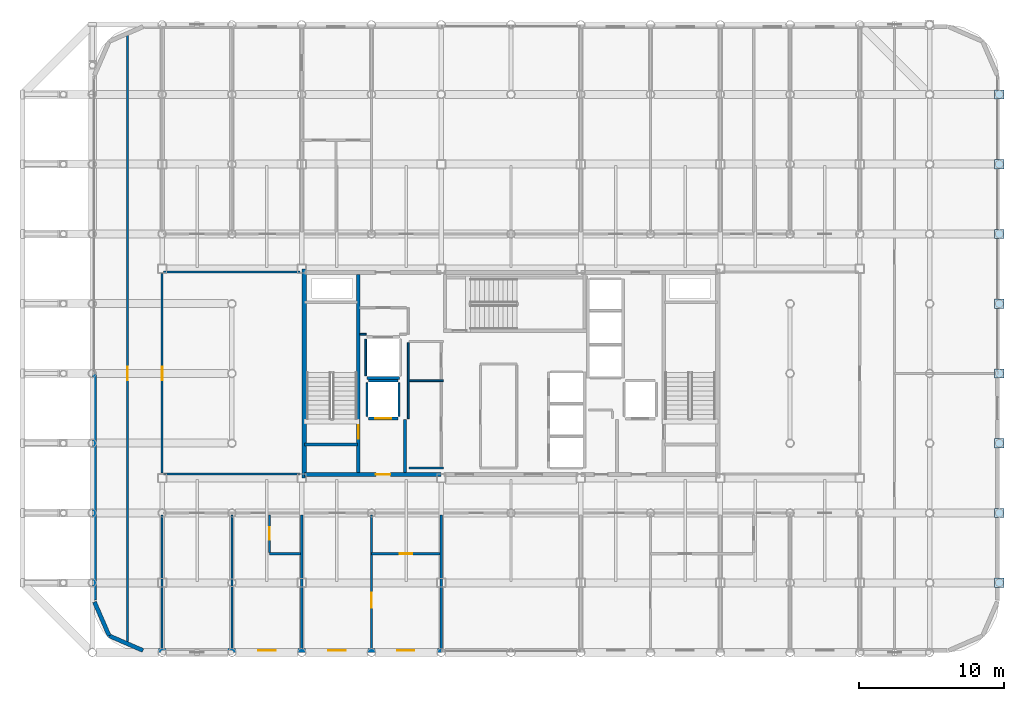
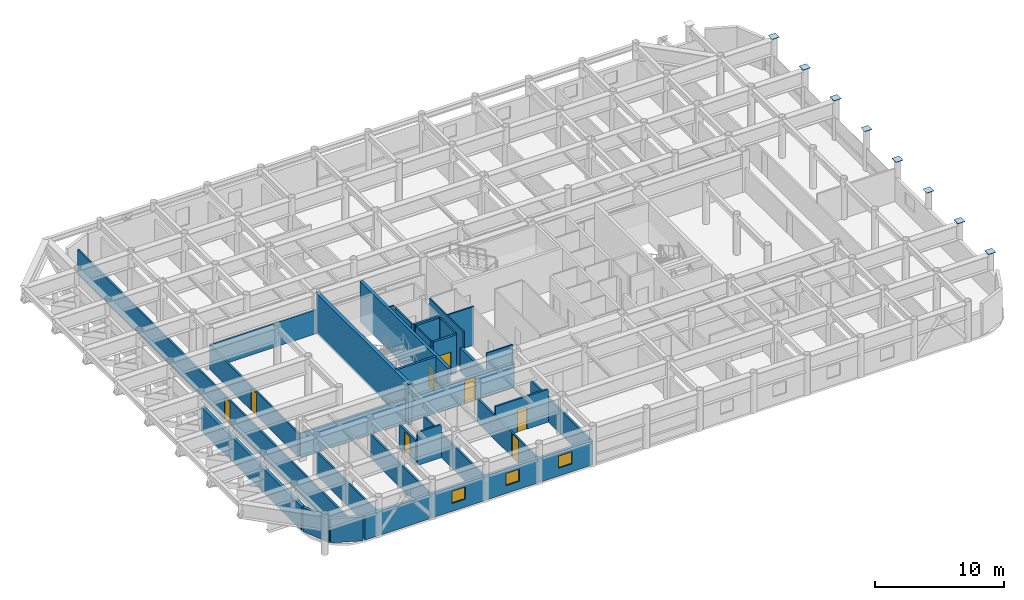
# One storey, part 22 of 27: 31 walls, 8 doors, 8 plates, 3 windows, 11 openings.
"""IFC4 building model written with IfcOpenShell, lengths in metres."""

from ifc_helpers import new_model, si_unit, direction, frame, frame_2d, origin, origin_2d, place, context, subcontext, project, spatial, rectangle, extrude, material, layer, layer_set, type_object, element, fill, save


model = new_model("IFC4")

# Units and contexts
model_context = context("Model", 3, precision=1e-05, world=origin(), true_north=direction((0.0, 1.0)))
body_context = subcontext(model_context, "Body", "Model", "MODEL_VIEW")
ifc_project = project(units=[si_unit("LENGTHUNIT", "METRE"), si_unit("AREAUNIT", "SQUARE_METRE"), si_unit("VOLUMEUNIT", "CUBIC_METRE"), si_unit("PLANEANGLEUNIT", "RADIAN"), si_unit("MASSUNIT", "GRAM", prefix="KILO")], contexts=[model_context])

# Site, building, storey
site_placement = place(None, origin())
site = spatial("IfcSite", under=ifc_project, at=site_placement, CompositionType="ELEMENT")
building_placement = place(site_placement, origin())
building = spatial("IfcBuilding", under=site, at=building_placement, Name="Kallvorn Hotel Tower", CompositionType="ELEMENT")
storey_placement = place(building_placement, frame((0.0, 0.0, 245.39990234375)))
storey = spatial("IfcBuildingStorey", under=building, at=storey_placement, Name="L61", CompositionType="ELEMENT", Elevation=245.39990234375)

# Plates
ifc_material_1 = material(Name="Structural steel S355JR", Category="steel")
ifc_layer_1 = layer(ifc_material_1, 0.030029296875)
ifc_layer_set_1 = layer_set([ifc_layer_1], Name="PLT_CAP_30")
plate_type = type_object("IfcPlateType", Name="PLT_CAP_30", PredefinedType="SHEET", material=ifc_layer_set_1)
for number, where, z_axis, x_axis, name in (
    (1, (33.60009765625, -14.39990234375, 3.85009765625), (0.0, 0.0, 1.0), (1.0, 0.0, 0.0), "L61 Hollow Column Top End Cap Plate 0270"),
    (2, (33.60009765625, -9.60009765625, 3.85009765625), (0.0, 0.0, 1.0), (1.0, 0.0, 0.0), "L61 Hollow Column Top End Cap Plate 0271"),
    (3, (33.60009765625, -4.800048828125, 3.85009765625), (0.0, 0.0, 1.0), (1.0, 0.0, 0.0), "L61 Hollow Column Top End Cap Plate 0272"),
    (4, (33.60009765625, 0.0, 3.85009765625), (0.0, 0.0, 1.0), (1.0, 0.0, 0.0), "L61 Hollow Column Top End Cap Plate 0273"),
    (5, (33.60009765625, 4.800048828125, 3.85009765625), (0.0, 0.0, 1.0), (1.0, 0.0, 0.0), "L61 Hollow Column Top End Cap Plate 0274"),
    (6, (33.60009765625, 9.60009765625, 3.85009765625), (0.0, 0.0, 1.0), (1.0, 0.0, 0.0), "L61 Hollow Column Top End Cap Plate 0275"),
    (7, (33.60009765625, 14.39990234375, 3.85009765625), (0.0, 0.0, 1.0), (1.0, 0.0, 0.0), "L61 Hollow Column Top End Cap Plate 0276"),
    (8, (33.60009765625, 19.199951171875, 3.85009765625), (0.0, 0.0, 1.0), (1.0, 0.0, 0.0), "L61 Hollow Column Top End Cap Plate 0277"),
):
    element("IfcPlate", number, at=place(storey_placement, frame(where, z_axis=z_axis, x_axis=x_axis)), inside=storey, type_object=plate_type, Name=name, PredefinedType="SHEET", context=body_context, shape_type="SweptSolid", body=[
        extrude(rectangle(XDim=0.638916015625, YDim=0.638916015625, at=origin_2d()), origin(), (0.0, 0.0, 1.0), 0.030029296875),
    ])

# Walls
ifc_material_2 = material(Name="Concrete C50/60", Category="concrete")
ifc_layer_2 = layer(ifc_material_2, 0.300048828125)
ifc_layer_set_2 = layer_set([ifc_layer_2], Name="WL_CORE_300")
wall_type_1 = type_object("IfcWallType", Name="WL_CORE_300", PredefinedType="SHEAR", material=ifc_layer_set_2)
wall_1_placement = place(storey_placement, frame((-14.215087890625, -7.199951171875, -0.179931640625), z_axis=(0.0, 0.0, 1.0), x_axis=(0.0, 1.0, 0.0)))
element("IfcWall", 9, at=wall_1_placement, inside=storey, type_object=wall_type_1, Name="L61 Core West Shear Wall", PredefinedType="SHEAR", context=body_context, shape_type="SweptSolid", body=[
    extrude(rectangle(XDim=14.39990234375, YDim=0.300048828125, at=frame_2d((7.199951171875, 0.0))), origin(), (0.0, 0.0, 1.0), 3.85009765625),
])
ifc_material_3 = material(Name="Fire-rated double-layer acoustic gypsum drywall EI 60")
ifc_layer_3 = layer(ifc_material_3, 0.159912109375)
ifc_layer_set_3 = layer_set([ifc_layer_3], Name="WL_DEMISE_160")
wall_type_2 = type_object("IfcWallType", Name="WL_DEMISE_160", PredefinedType="PARTITIONING", material=ifc_layer_set_3)
wall_2_placement = place(storey_placement, frame((-16.610107421875, -12.39501953125, 0.0), z_axis=(0.0, 0.0, 1.0), x_axis=(1.0, 0.0, 0.0)))
element("IfcWall", 10, at=wall_2_placement, inside=storey, type_object=wall_type_2, Name="L61 Suite 6101 Superior Twin Room Partition", PredefinedType="PARTITIONING", context=body_context, shape_type="SweptSolid", body=[
    extrude(rectangle(XDim=2.130126953125, YDim=0.159912109375, at=frame_2d((1.06494140625, 0.0))), origin(), (0.0, 0.0, 1.0), 3.1201171875),
])

# Wall, opening, door
wall_3_placement = place(storey_placement, frame((-9.60009765625, -12.39501953125, 0.0), z_axis=(0.0, 0.0, 1.0), x_axis=(1.0, 0.0, 0.0)))
wall_3 = element("IfcWall", 11, at=wall_3_placement, inside=storey, type_object=wall_type_2, Name="L61 Suite 6102 Executive Bedroom Partition", PredefinedType="PARTITIONING", context=body_context, shape_type="SweptSolid", body=[
    extrude(rectangle(XDim=4.72021484375, YDim=0.159912109375, at=frame_2d((2.360107421875, 0.0))), origin(), (0.0, 0.0, 1.0), 3.1201171875),
])
opening_1_placement = place(wall_3_placement, frame((1.929931640625, 0.0, 0.0)))
opening_1 = element("IfcOpeningElement", 12, at=opening_1_placement, cuts=wall_3, Name="Opening BD-I", PredefinedType="OPENING", context=body_context, shape_type="SweptSolid", body=[
    extrude(rectangle(XDim=0.860107421875, YDim=2.10009765625, at=frame_2d((0.43017578125, 1.050048828125))), frame((0.0, 0.094970703125, 0.0), z_axis=(0.0, -1.0, 0.0), x_axis=(1.0, 0.0, 0.0)), (0.0, 0.0, 1.0), 0.18994140625),
])
ifc_material_4 = material(Name="Solid-core walnut veneer fire-rated timber door leaf", Category="wood")
door_type_1 = type_object("IfcDoorType", Name="DR_BATH_860x2100", OperationType="NOTDEFINED", PredefinedType="DOOR", material=ifc_material_4)
door_1_placement = place(opening_1_placement, origin())
door_1 = element("IfcDoor", 13, at=door_1_placement, inside=storey, type_object=door_type_1, Name="L61 Suite 6102 En-Suite Bathroom Door", OperationType="SINGLE_SWING_LEFT", OverallHeight=2.10009765625, OverallWidth=0.860107421875, PredefinedType="DOOR", context=body_context, shape_type="SweptSolid", body=[
    extrude(rectangle(XDim=0.860107421875, YDim=2.10009765625, at=frame_2d((0.43017578125, 1.050048828125))), frame((0.0, 0.02490234375, 0.0), z_axis=(0.0, -1.0, 0.0), x_axis=(1.0, 0.0, 0.0)), (0.0, 0.0, 1.0), 0.050048828125),
])
fill(opening_1, door_1)

# Wall
wall_4_placement = place(storey_placement, frame((-19.199951171875, -18.909912109375, 0.0), z_axis=(0.0, 0.0, 1.0), x_axis=(0.0, 1.0, 0.0)))
element("IfcWall", 14, at=wall_4_placement, inside=storey, type_object=wall_type_2, Name="L61 Suite 6101 Superior Twin Room Partition", PredefinedType="PARTITIONING", context=body_context, shape_type="SweptSolid", body=[
    extrude(rectangle(XDim=9.18994140625, YDim=0.159912109375, at=frame_2d((4.594970703125, 0.0))), origin(), (0.0, 0.0, 1.0), 2.27001953125),
])

# Wall, opening, door
wall_5_placement = place(storey_placement, frame((-16.610107421875, -12.31005859375, 0.0), z_axis=(0.0, 0.0, 1.0), x_axis=(0.0, 1.0, 0.0)))
wall_5 = element("IfcWall", 15, at=wall_5_placement, inside=storey, type_object=wall_type_2, Name="L61 Suite 6101 Superior Twin Room Partition", PredefinedType="PARTITIONING", context=body_context, shape_type="SweptSolid", body=[
    extrude(rectangle(XDim=2.590087890625, YDim=0.159912109375, at=frame_2d((1.294921875, 0.0))), origin(), (0.0, 0.0, 1.0), 2.27001953125),
])
opening_2_placement = place(wall_5_placement, frame((0.860107421875, 0.0, 0.0)))
opening_2 = element("IfcOpeningElement", 16, at=opening_2_placement, cuts=wall_5, Name="Opening BD-I", PredefinedType="OPENING", context=body_context, shape_type="SweptSolid", body=[
    extrude(rectangle(XDim=0.860107421875, YDim=2.10009765625, at=frame_2d((0.43017578125, 1.050048828125))), frame((0.0, 0.094970703125, 0.0), z_axis=(0.0, -1.0, 0.0), x_axis=(1.0, 0.0, 0.0)), (0.0, 0.0, 1.0), 0.18994140625),
])
door_2_placement = place(opening_2_placement, origin())
door_2 = element("IfcDoor", 17, at=door_2_placement, inside=storey, type_object=door_type_1, Name="L61 Suite 6101 En-Suite Bathroom Door", OperationType="SINGLE_SWING_RIGHT", OverallHeight=2.10009765625, OverallWidth=0.860107421875, PredefinedType="DOOR", context=body_context, shape_type="SweptSolid", body=[
    extrude(rectangle(XDim=0.860107421875, YDim=2.10009765625, at=frame_2d((0.43017578125, 1.050048828125))), frame((0.0, 0.02490234375, 0.0), z_axis=(0.0, -1.0, 0.0), x_axis=(1.0, 0.0, 0.0)), (0.0, 0.0, 1.0), 0.050048828125),
])
fill(opening_2, door_2)

# Wall
wall_6_placement = place(storey_placement, frame((-14.39990234375, -18.909912109375, 0.0), z_axis=(0.0, 0.0, 1.0), x_axis=(0.0, 1.0, 0.0)))
element("IfcWall", 18, at=wall_6_placement, inside=storey, type_object=wall_type_2, Name="L61 Suite 6101 Superior Twin Room Partition", PredefinedType="PARTITIONING", context=body_context, shape_type="SweptSolid", body=[
    extrude(rectangle(XDim=9.18994140625, YDim=0.159912109375, at=frame_2d((4.594970703125, 0.0))), origin(), (0.0, 0.0, 1.0), 2.27001953125),
])

# Wall, opening, door
wall_7_placement = place(storey_placement, frame((-9.60009765625, -18.909912109375, 0.0), z_axis=(0.0, 0.0, 1.0), x_axis=(0.0, 1.0, 0.0)))
wall_7 = element("IfcWall", 19, at=wall_7_placement, inside=storey, type_object=wall_type_2, Name="L61 Suite 6102 Executive Bedroom Partition", PredefinedType="PARTITIONING", context=body_context, shape_type="SweptSolid", body=[
    extrude(rectangle(XDim=9.18994140625, YDim=0.159912109375, at=frame_2d((4.594970703125, 0.0))), origin(), (0.0, 0.0, 1.0), 2.27001953125),
])
opening_3_placement = place(wall_7_placement, frame((2.77490234375, 0.0, 0.0)))
opening_3 = element("IfcOpeningElement", 20, at=opening_3_placement, cuts=wall_7, Name="Opening GD2", PredefinedType="OPENING", context=body_context, shape_type="SweptSolid", body=[
    extrude(rectangle(XDim=1.050048828125, YDim=2.199951171875, at=frame_2d((0.52490234375, 1.10009765625))), frame((0.0, 0.094970703125, 0.0), z_axis=(0.0, -1.0, 0.0), x_axis=(1.0, 0.0, 0.0)), (0.0, 0.0, 1.0), 0.18994140625),
])
ifc_material_5 = material(Name="Solid-core walnut veneer fire-rated timber door leaf", Category="wood")
door_type_2 = type_object("IfcDoorType", Name="DR_SUITE_1050x2200", OperationType="NOTDEFINED", PredefinedType="DOOR", material=ifc_material_5)
door_3_placement = place(opening_3_placement, origin())
door_3 = element("IfcDoor", 21, at=door_3_placement, inside=storey, type_object=door_type_2, Name="L61 Suite 6102 Executive Bedroom Door", OperationType="SINGLE_SWING_RIGHT", OverallHeight=2.199951171875, OverallWidth=1.050048828125, PredefinedType="DOOR", context=body_context, shape_type="SweptSolid", body=[
    extrude(rectangle(XDim=1.050048828125, YDim=2.199951171875, at=frame_2d((0.52490234375, 1.10009765625))), frame((0.0, 0.02490234375, 0.0), z_axis=(0.0, -1.0, 0.0), x_axis=(1.0, 0.0, 0.0)), (0.0, 0.0, 1.0), 0.050048828125),
])
fill(opening_3, door_3)

# Walls
wall_8_placement = place(storey_placement, frame((-4.800048828125, -18.909912109375, 0.0), z_axis=(0.0, 0.0, 1.0), x_axis=(0.0, 1.0, 0.0)))
element("IfcWall", 22, at=wall_8_placement, inside=storey, type_object=wall_type_2, Name="L61 Suite 6102 Executive Bedroom Partition", PredefinedType="PARTITIONING", context=body_context, shape_type="SweptSolid", body=[
    extrude(rectangle(XDim=9.18994140625, YDim=0.159912109375, at=frame_2d((4.594970703125, 0.0))), origin(), (0.0, 0.0, 1.0), 2.27001953125),
])
ifc_material_6 = material(Name="Precast basalt-clad insulated concrete wall C40/50", Category="masonry")
ifc_layer_4 = layer(ifc_material_6, 0.280029296875)
ifc_layer_set_4 = layer_set([ifc_layer_4], Name="WL_EXT_LOGGIA_280")
wall_type_3 = type_object("IfcWallType", Name="WL_EXT_LOGGIA_280", PredefinedType="SOLIDWALL", material=ifc_layer_set_4)
wall_9_placement = place(storey_placement, frame((-28.657958984375, -15.720703125, 0.0), z_axis=(0.0, 0.0, 1.0), x_axis=(0.398792985289, -0.917040977756, 0.0)))
element("IfcWall", 23, at=wall_9_placement, inside=storey, type_object=wall_type_3, Name="L61 Rounded Corner Exterior Wall SW1", PredefinedType="SOLIDWALL", context=body_context, shape_type="SweptSolid", body=[
    extrude(rectangle(XDim=2.536376953125, YDim=0.280029296875, at=frame_2d((1.26806640625, 0.0))), origin(), (0.0, 0.0, 1.0), 2.27001953125),
])
wall_10_placement = place(storey_placement, frame((-27.646484375, -18.046630859375, 0.0), z_axis=(0.0, 0.0, 1.0), x_axis=(0.917060872934, -0.398747232384, 0.0)))
element("IfcWall", 24, at=wall_10_placement, inside=storey, type_object=wall_type_3, Name="L61 Rounded Corner Exterior Wall SW2", PredefinedType="SOLIDWALL", context=body_context, shape_type="SweptSolid", body=[
    extrude(rectangle(XDim=2.5361328125, YDim=0.280029296875, at=frame_2d((1.26806640625, 0.0))), origin(), (0.0, 0.0, 1.0), 2.27001953125),
])

# Wall, openings, windows
wall_11_placement = place(storey_placement, frame((-25.199951171875, -19.06005859375, 0.0), z_axis=(0.0, 0.0, 1.0), x_axis=(1.0, 0.0, 0.0)))
wall_11 = element("IfcWall", 25, at=wall_11_placement, inside=storey, type_object=wall_type_3, Name="L61 Exterior Envelope Wall EW-L61-SW", PredefinedType="SOLIDWALL", context=body_context, shape_type="SweptSolid", body=[
    extrude(rectangle(XDim=20.449951171875, YDim=0.280029296875, at=frame_2d((10.22509765625, 0.0))), origin(), (0.0, 0.0, 1.0), 2.27001953125),
])
opening_4_placement = place(wall_11_placement, frame((7.800048828125, 0.0, 0.75)))
opening_4 = element("IfcOpeningElement", 26, at=opening_4_placement, cuts=wall_11, Name="Opening W06A", PredefinedType="OPENING", context=body_context, shape_type="SweptSolid", body=[
    extrude(rectangle(XDim=1.199951171875, YDim=1.14990234375, at=frame_2d((0.60009765625, 0.574951171875))), frame((0.0, 0.155029296875, 0.0), z_axis=(0.0, -1.0, 0.0), x_axis=(1.0, 0.0, 0.0)), (0.0, 0.0, 1.0), 0.31005859375),
])
opening_5_placement = place(wall_11_placement, frame((12.639892578125, 0.0, 0.75)))
opening_5 = element("IfcOpeningElement", 27, at=opening_5_placement, cuts=wall_11, Name="Opening W06A", PredefinedType="OPENING", context=body_context, shape_type="SweptSolid", body=[
    extrude(rectangle(XDim=1.199951171875, YDim=1.14990234375, at=frame_2d((0.60009765625, 0.574951171875))), frame((0.0, 0.155029296875, 0.0), z_axis=(0.0, -1.0, 0.0), x_axis=(1.0, 0.0, 0.0)), (0.0, 0.0, 1.0), 0.31005859375),
])
opening_6_placement = place(wall_11_placement, frame((17.360107421875, 0.0, 0.75)))
opening_6 = element("IfcOpeningElement", 28, at=opening_6_placement, cuts=wall_11, Name="Opening W06A", PredefinedType="OPENING", context=body_context, shape_type="SweptSolid", body=[
    extrude(rectangle(XDim=1.199951171875, YDim=1.14990234375, at=frame_2d((0.60009765625, 0.574951171875))), frame((0.0, 0.155029296875, 0.0), z_axis=(0.0, -1.0, 0.0), x_axis=(1.0, 0.0, 0.0)), (0.0, 0.0, 1.0), 0.31005859375),
])
ifc_material_7 = material(Name="Triple-glazed low-e acoustic solar-control dark glass", Category="glass")
window_type = type_object("IfcWindowType", Name="WN_HTL_1200x1150", PartitioningType="SINGLE_PANEL", PredefinedType="WINDOW", material=ifc_material_7)
window_1_placement = place(opening_4_placement, origin())
window_1 = element("IfcWindow", 29, at=window_1_placement, inside=storey, type_object=window_type, Name="L61 Guestroom Exterior Window 04", OverallHeight=1.14990234375, OverallWidth=1.199951171875, PartitioningType="SINGLE_PANEL", PredefinedType="WINDOW", context=body_context, shape_type="SweptSolid", body=[
    extrude(rectangle(XDim=1.199951171875, YDim=1.14990234375, at=frame_2d((0.60009765625, 0.574951171875))), frame((0.0, 0.030029296875, 0.0), z_axis=(0.0, -1.0, 0.0), x_axis=(1.0, 0.0, 0.0)), (0.0, 0.0, 1.0), 0.06005859375),
])
fill(opening_4, window_1)
window_2_placement = place(opening_5_placement, origin())
window_2 = element("IfcWindow", 30, at=window_2_placement, inside=storey, type_object=window_type, Name="L61 Guestroom Exterior Window 05", OverallHeight=1.14990234375, OverallWidth=1.199951171875, PartitioningType="SINGLE_PANEL", PredefinedType="WINDOW", context=body_context, shape_type="SweptSolid", body=[
    extrude(rectangle(XDim=1.199951171875, YDim=1.14990234375, at=frame_2d((0.60009765625, 0.574951171875))), frame((0.0, 0.030029296875, 0.0), z_axis=(0.0, -1.0, 0.0), x_axis=(1.0, 0.0, 0.0)), (0.0, 0.0, 1.0), 0.06005859375),
])
fill(opening_5, window_2)
window_3_placement = place(opening_6_placement, origin())
window_3 = element("IfcWindow", 31, at=window_3_placement, inside=storey, type_object=window_type, Name="L61 Guestroom Exterior Window 06", OverallHeight=1.14990234375, OverallWidth=1.199951171875, PartitioningType="SINGLE_PANEL", PredefinedType="WINDOW", context=body_context, shape_type="SweptSolid", body=[
    extrude(rectangle(XDim=1.199951171875, YDim=1.14990234375, at=frame_2d((0.60009765625, 0.574951171875))), frame((0.0, 0.030029296875, 0.0), z_axis=(0.0, -1.0, 0.0), x_axis=(1.0, 0.0, 0.0)), (0.0, 0.0, 1.0), 0.06005859375),
])
fill(opening_6, window_3)

# Walls
wall_12_placement = place(storey_placement, frame((-28.659912109375, -15.60009765625, 0.0), z_axis=(0.0, 0.0, 1.0), x_axis=(0.0, 1.0, 0.0)))
element("IfcWall", 32, at=wall_12_placement, inside=storey, type_object=wall_type_3, Name="L61 Exterior Envelope Wall EW-L61-WS", PredefinedType="SOLIDWALL", context=body_context, shape_type="SweptSolid", body=[
    extrude(rectangle(XDim=15.580078125, YDim=0.280029296875, at=frame_2d((7.7900390625, 0.0))), origin(), (0.0, 0.0, 1.0), 2.27001953125),
])
ifc_material_8 = material(Name="Concrete C40/50", Category="concrete")
ifc_layer_5 = layer(ifc_material_8, 0.219970703125)
ifc_layer_set_5 = layer_set([ifc_layer_5], Name="WL_FFL_220")
wall_type_4 = type_object("IfcWallType", Name="WL_FFL_220", PredefinedType="SOLIDWALL", material=ifc_layer_set_5)
wall_13_placement = place(storey_placement, frame((-7.300048828125, -6.820068359375, 0.0), z_axis=(0.0, 0.0, 1.0), x_axis=(0.0, 1.0, 0.0)))
element("IfcWall", 33, at=wall_13_placement, inside=storey, type_object=wall_type_4, Name="L61 Firefighting Lobby West Divider Wall", PredefinedType="SOLIDWALL", context=body_context, shape_type="SweptSolid", body=[
    extrude(rectangle(XDim=3.670166015625, YDim=0.219970703125, at=frame_2d((1.8349609375, 0.0))), origin(), (0.0, 0.0, 1.0), 2.27001953125),
])
ifc_material_9 = material(Name="Concrete C40/50", Category="concrete")
ifc_layer_6 = layer(ifc_material_9, 0.199951171875)
ifc_layer_set_6 = layer_set([ifc_layer_6], Name="WL_HOIST_200")
wall_type_5 = type_object("IfcWallType", Name="WL_HOIST_200", PredefinedType="SOLIDWALL", material=ifc_layer_set_6)
wall_14_placement = place(storey_placement, frame((-14.199951171875, -4.89990234375, -0.179931640625), z_axis=(0.0, 0.0, 1.0), x_axis=(1.0, 0.0, 0.0)))
element("IfcWall", 34, at=wall_14_placement, inside=storey, type_object=wall_type_5, Name="L61 Stair ST1 South Wall", PredefinedType="SOLIDWALL", context=body_context, shape_type="SweptSolid", body=[
    extrude(rectangle(XDim=3.64990234375, YDim=0.199951171875, at=frame_2d((1.824951171875, 0.0))), origin(), (0.0, 0.0, 1.0), 3.85009765625),
])

# Wall, opening, door
wall_15_placement = place(storey_placement, frame((-9.820068359375, -3.10009765625, 0.0), z_axis=(0.0, 0.0, 1.0), x_axis=(1.0, 0.0, 0.0)))
wall_15 = element("IfcWall", 35, at=wall_15_placement, inside=storey, type_object=wall_type_5, Name="L61 FL-1 Landing Wall", PredefinedType="SOLIDWALL", context=body_context, shape_type="SweptSolid", body=[
    extrude(rectangle(XDim=2.0400390625, YDim=0.199951171875, at=frame_2d((1.02001953125, 0.0))), origin(), (0.0, 0.0, 1.0), 3.670166015625),
])
opening_7_placement = place(wall_15_placement, frame((0.469970703125, 0.0, 0.0)))
opening_7 = element("IfcOpeningElement", 36, at=opening_7_placement, cuts=wall_15, Name="Opening LD-FL-1", PredefinedType="OPENING", context=body_context, shape_type="SweptSolid", body=[
    extrude(rectangle(XDim=1.10009765625, YDim=2.199951171875, at=frame_2d((0.550048828125, 1.10009765625))), frame((0.0, 0.114990234375, 0.0), z_axis=(0.0, -1.0, 0.0), x_axis=(1.0, 0.0, 0.0)), (0.0, 0.0, 1.0), 0.22998046875),
])
ifc_material_10 = material(Name="Brushed stainless-steel automatic sliding lift landing door", Category="steel")
door_type_3 = type_object("IfcDoorType", Name="LD_PASS_1100x2200", OperationType="SLIDING_TO_LEFT", PredefinedType="DOOR", material=ifc_material_10)
door_4_placement = place(opening_7_placement, origin())
door_4 = element("IfcDoor", 37, at=door_4_placement, inside=storey, type_object=door_type_3, Name="L61 Lift Landing Sliding Door LD-FL-1", OperationType="SLIDING_TO_LEFT", OverallHeight=2.199951171875, OverallWidth=1.10009765625, PredefinedType="DOOR", context=body_context, shape_type="SweptSolid", body=[
    extrude(rectangle(XDim=1.10009765625, YDim=2.199951171875, at=frame_2d((0.550048828125, 1.10009765625))), frame((0.0, 0.02490234375, 0.0), z_axis=(0.0, -1.0, 0.0), x_axis=(1.0, 0.0, 0.0)), (0.0, 0.0, 1.0), 0.050048828125),
])
fill(opening_7, door_4)

# Walls
wall_16_placement = place(storey_placement, frame((-9.820068359375, -0.5, 0.0), z_axis=(0.0, 0.0, 1.0), x_axis=(1.0, 0.0, 0.0)))
element("IfcWall", 38, at=wall_16_placement, inside=storey, type_object=wall_type_5, Name="L61 FL-1 Rear Shaft Wall", PredefinedType="SOLIDWALL", context=body_context, shape_type="SweptSolid", body=[
    extrude(rectangle(XDim=2.0400390625, YDim=0.199951171875, at=frame_2d((1.02001953125, 0.0))), origin(), (0.0, 0.0, 1.0), 3.670166015625),
])
wall_17_placement = place(storey_placement, frame((-9.919921875, -0.300048828125, 0.0), z_axis=(0.0, 0.0, 1.0), x_axis=(1.0, 0.0, 0.0)))
element("IfcWall", 39, at=wall_17_placement, inside=storey, type_object=wall_type_5, Name="L61 SV-01 Rear Shaft Wall", PredefinedType="SOLIDWALL", context=body_context, shape_type="SweptSolid", body=[
    extrude(rectangle(XDim=2.239990234375, YDim=0.199951171875, at=frame_2d((1.1201171875, 0.0))), origin(), (0.0, 0.0, 1.0), 3.670166015625),
])
ifc_material_11 = material(Name="Fire-rated double-layer acoustic gypsum drywall EI 60")
ifc_layer_7 = layer(ifc_material_11, 0.1201171875)
ifc_layer_set_7 = layer_set([ifc_layer_7], Name="WL_INT_120")
wall_type_6 = type_object("IfcWallType", Name="WL_INT_120", PredefinedType="PARTITIONING", material=ifc_layer_set_7)
for number, where, z_axis, x_axis, name in (
    (40, (-9.89990234375, -2.9599609375, 0.0), (0.0, 0.0, 1.0), (0.0, 1.0, 0.0), "L61 FL-1 West Shaft Wall"),
    (41, (-7.699951171875, -2.9599609375, 0.0), (0.0, 0.0, 1.0), (0.0, 1.0, 0.0), "L61 FL-1 East Shaft Wall"),
):
    element("IfcWall", number, at=place(storey_placement, frame(where, z_axis=z_axis, x_axis=x_axis)), inside=storey, type_object=wall_type_6, Name=name, PredefinedType="PARTITIONING", context=body_context, shape_type="SweptSolid", body=[
        extrude(rectangle(XDim=2.320068359375, YDim=0.1201171875, at=frame_2d((1.16015625, 0.0))), origin(), (0.0, 0.0, 1.0), 3.670166015625),
    ])
wall_18_placement = place(storey_placement, frame((-10.0, -0.159912109375, 0.0), z_axis=(0.0, 0.0, 1.0), x_axis=(0.0, 1.0, 0.0)))
element("IfcWall", 42, at=wall_18_placement, inside=storey, type_object=wall_type_6, Name="L61 SV-01 West Shaft Wall", PredefinedType="PARTITIONING", context=body_context, shape_type="SweptSolid", body=[
    extrude(rectangle(XDim=2.52001953125, YDim=0.1201171875, at=frame_2d((1.260009765625, 0.0))), origin(), (0.0, 0.0, 1.0), 3.670166015625),
])
for number, where, z_axis, x_axis, name in (
    (43, (-7.0, -6.5, 0.0), (0.0, 0.0, 1.0), (1.0, 0.0, 0.0), "L61 Recaptured Full-Depth Sommelier Store Partition"),
    (44, (-7.0, -0.5, 0.0), (0.0, 0.0, 1.0), (1.0, 0.0, 0.0), "L61 Recaptured Full-Depth Sommelier Store Partition"),
):
    element("IfcWall", number, at=place(storey_placement, frame(where, z_axis=z_axis, x_axis=x_axis)), inside=storey, type_object=wall_type_6, Name=name, PredefinedType="PARTITIONING", context=body_context, shape_type="SweptSolid", body=[
        extrude(rectangle(XDim=2.35009765625, YDim=0.1201171875, at=frame_2d((1.175048828125, 0.0))), origin(), (0.0, 0.0, 1.0), 3.670166015625),
    ])
wall_19_placement = place(storey_placement, frame((-10.39990234375, 2.699951171875, 0.0), z_axis=(0.0, 0.0, 1.0), x_axis=(1.0, 0.0, 0.0)))
element("IfcWall", 45, at=wall_19_placement, inside=storey, type_object=wall_type_6, Name="L61 Core Telecom and Metering Store Partition", PredefinedType="PARTITIONING", context=body_context, shape_type="SweptSolid", body=[
    extrude(rectangle(XDim=0.43994140625, YDim=0.1201171875, at=frame_2d((0.219970703125, 0.0))), origin(), (0.0, 0.0, 1.0), 3.670166015625),
])
wall_20_placement = place(storey_placement, frame((-7.066650390625, -3.110107421875, 0.0), z_axis=(0.0, 0.0, 1.0), x_axis=(0.0, 1.0, 0.0)))
element("IfcWall", 46, at=wall_20_placement, inside=storey, type_object=wall_type_6, Name="L61 Recaptured Full-Depth Sommelier Store Partition", PredefinedType="PARTITIONING", context=body_context, shape_type="SweptSolid", body=[
    extrude(rectangle(XDim=5.22509765625, YDim=0.1201171875, at=frame_2d((2.612548828125, 0.0))), origin(), (0.0, 0.0, 1.0), 3.670166015625),
])
ifc_material_12 = material(Name="Fire-rated double-layer acoustic gypsum drywall EI 60")
ifc_layer_8 = layer(ifc_material_12, 0.14990234375)
ifc_layer_set_8 = layer_set([ifc_layer_8], Name="WL_PART_150")
wall_type_7 = type_object("IfcWallType", Name="WL_PART_150", PredefinedType="PARTITIONING", material=ifc_layer_set_8)
for number, where, z_axis, x_axis, name in (
    (47, (-23.919921875, -6.919921875, 0.0), (0.0, 0.0, 1.0), (1.0, 0.0, 0.0), "L61 L61 High-Zone Inner West Club Bar Partition"),
    (48, (-23.919921875, 6.97998046875, 0.0), (0.0, 0.0, 1.0), (1.0, 0.0, 0.0), "L61 L61 High-Zone Inner West Club Bar Partition"),
):
    element("IfcWall", number, at=place(storey_placement, frame(where, z_axis=z_axis, x_axis=x_axis)), inside=storey, type_object=wall_type_7, Name=name, PredefinedType="PARTITIONING", context=body_context, shape_type="SweptSolid", body=[
        extrude(rectangle(XDim=9.39990234375, YDim=0.14990234375, at=frame_2d((4.699951171875, 0.0))), origin(), (0.0, 0.0, 1.0), 2.27001953125),
    ])

# Wall, opening, door
wall_21_placement = place(storey_placement, frame((-26.3798828125, -18.447265625, 0.0), z_axis=(0.0, 0.0, 1.0), x_axis=(0.0, 1.0, 0.0)))
wall_21 = element("IfcWall", 49, at=wall_21_placement, inside=storey, type_object=wall_type_7, Name="L61 L61 Outer West Sky Observatory Salon Partition", PredefinedType="PARTITIONING", context=body_context, shape_type="SweptSolid", body=[
    extrude(rectangle(XDim=41.694580078125, YDim=0.14990234375, at=frame_2d((20.84716796875, 0.0))), origin(), (0.0, 0.0, 1.0), 2.27001953125),
])
opening_8_placement = place(wall_21_placement, frame((17.997314453125, 0.0, 0.0)))
opening_8 = element("IfcOpeningElement", 50, at=opening_8_placement, cuts=wall_21, Name="Opening SVD1", PredefinedType="OPENING", context=body_context, shape_type="SweptSolid", body=[
    extrude(rectangle(XDim=0.89990234375, YDim=2.10009765625, at=frame_2d((0.449951171875, 1.050048828125))), frame((0.0, 0.08984375, 0.0), z_axis=(0.0, -1.0, 0.0), x_axis=(1.0, 0.0, 0.0)), (0.0, 0.0, 1.0), 0.179931640625),
])
ifc_material_13 = material(Name="Galvanised painted steel fire-rated door assembly", Category="steel")
door_type_4 = type_object("IfcDoorType", Name="DR_SERV_900x2100", OperationType="NOTDEFINED", PredefinedType="DOOR", material=ifc_material_13)
door_5_placement = place(opening_8_placement, origin())
door_5 = element("IfcDoor", 51, at=door_5_placement, inside=storey, type_object=door_type_4, Name="L61 L61 Outer West Sky Observatory Salon Door", OperationType="SINGLE_SWING_RIGHT", OverallHeight=2.10009765625, OverallWidth=0.89990234375, PredefinedType="DOOR", context=body_context, shape_type="SweptSolid", body=[
    extrude(rectangle(XDim=0.89990234375, YDim=2.10009765625, at=frame_2d((0.449951171875, 1.050048828125))), frame((0.0, 0.02490234375, 0.0), z_axis=(0.0, -1.0, 0.0), x_axis=(1.0, 0.0, 0.0)), (0.0, 0.0, 1.0), 0.050048828125),
])
fill(opening_8, door_5)

# Wall
wall_22_placement = place(storey_placement, frame((-24.0, -18.909912109375, 0.0), z_axis=(0.0, 0.0, 1.0), x_axis=(0.0, 1.0, 0.0)))
element("IfcWall", 52, at=wall_22_placement, inside=storey, type_object=wall_type_7, Name="L61 L61 High-Zone South-West Tea Bar Partition", PredefinedType="PARTITIONING", context=body_context, shape_type="SweptSolid", body=[
    extrude(rectangle(XDim=9.18994140625, YDim=0.14990234375, at=frame_2d((4.594970703125, 0.0))), origin(), (0.0, 0.0, 1.0), 2.27001953125),
])

# Wall, opening, door
wall_23_placement = place(storey_placement, frame((-24.0, -6.8349609375, 0.0), z_axis=(0.0, 0.0, 1.0), x_axis=(0.0, 1.0, 0.0)))
wall_23 = element("IfcWall", 53, at=wall_23_placement, inside=storey, type_object=wall_type_7, Name="L61 L61 High-Zone Inner West Club Bar Partition", PredefinedType="PARTITIONING", context=body_context, shape_type="SweptSolid", body=[
    extrude(rectangle(XDim=13.72998046875, YDim=0.14990234375, at=frame_2d((6.864990234375, 0.0))), origin(), (0.0, 0.0, 1.0), 2.27001953125),
])
opening_9_placement = place(wall_23_placement, frame((6.385009765625, 0.0, 0.0)))
opening_9 = element("IfcOpeningElement", 54, at=opening_9_placement, cuts=wall_23, Name="Opening SVD1", PredefinedType="OPENING", context=body_context, shape_type="SweptSolid", body=[
    extrude(rectangle(XDim=0.89990234375, YDim=2.10009765625, at=frame_2d((0.449951171875, 1.050048828125))), frame((0.0, 0.08984375, 0.0), z_axis=(0.0, -1.0, 0.0), x_axis=(1.0, 0.0, 0.0)), (0.0, 0.0, 1.0), 0.179931640625),
])
door_6_placement = place(opening_9_placement, origin())
door_6 = element("IfcDoor", 55, at=door_6_placement, inside=storey, type_object=door_type_4, Name="L61 L61 High-Zone Inner West Club Bar Door", OperationType="SINGLE_SWING_LEFT", OverallHeight=2.10009765625, OverallWidth=0.89990234375, PredefinedType="DOOR", context=body_context, shape_type="SweptSolid", body=[
    extrude(rectangle(XDim=0.89990234375, YDim=2.10009765625, at=frame_2d((0.449951171875, 1.050048828125))), frame((0.0, 0.02490234375, 0.0), z_axis=(0.0, -1.0, 0.0), x_axis=(1.0, 0.0, 0.0)), (0.0, 0.0, 1.0), 0.050048828125),
])
fill(opening_9, door_6)

ifc_material_14 = material(Name="Concrete C40/50", Category="concrete")
ifc_layer_9 = layer(ifc_material_14, 0.25)
ifc_layer_set_9 = layer_set([ifc_layer_9], Name="WL_SHAFT_250")
wall_type_8 = type_object("IfcWallType", Name="WL_SHAFT_250", PredefinedType="SOLIDWALL", material=ifc_layer_set_9)
wall_24_placement = place(storey_placement, frame((-14.199951171875, -6.949951171875, 0.0), z_axis=(0.0, 0.0, 1.0), x_axis=(1.0, 0.0, 0.0)))
wall_24 = element("IfcWall", 56, at=wall_24_placement, inside=storey, type_object=wall_type_8, Name="L61 Core South-West Wall", PredefinedType="SOLIDWALL", context=body_context, shape_type="SweptSolid", body=[
    extrude(rectangle(XDim=9.39990234375, YDim=0.25, at=frame_2d((4.699951171875, 0.0))), origin(), (0.0, 0.0, 1.0), 2.27001953125),
])
opening_10_placement = place(wall_24_placement, frame((4.89990234375, 0.0, 0.0)))
opening_10 = element("IfcOpeningElement", 57, at=opening_10_placement, cuts=wall_24, Name="Opening FD1", PredefinedType="OPENING", context=body_context, shape_type="SweptSolid", body=[
    extrude(rectangle(XDim=1.0, YDim=2.14990234375, at=frame_2d((0.5, 1.074951171875))), frame((0.0, 0.139892578125, 0.0), z_axis=(0.0, -1.0, 0.0), x_axis=(1.0, 0.0, 0.0)), (0.0, 0.0, 1.0), 0.280029296875),
])
ifc_material_15 = material(Name="Galvanised painted steel fire-rated door assembly", Category="steel")
door_type_5 = type_object("IfcDoorType", Name="DR_FFL_1000x2150", OperationType="NOTDEFINED", PredefinedType="DOOR", material=ifc_material_15)
door_7_placement = place(opening_10_placement, origin())
door_7 = element("IfcDoor", 58, at=door_7_placement, inside=storey, type_object=door_type_5, Name="L61 Firefighting Lobby West Door", OperationType="SINGLE_SWING_LEFT", OverallHeight=2.14990234375, OverallWidth=1.0, PredefinedType="DOOR", context=body_context, shape_type="SweptSolid", body=[
    extrude(rectangle(XDim=1.0, YDim=2.14990234375, at=frame_2d((0.5, 1.074951171875))), frame((0.0, 0.02490234375, 0.0), z_axis=(0.0, -1.0, 0.0), x_axis=(1.0, 0.0, 0.0)), (0.0, 0.0, 1.0), 0.050048828125),
])
fill(opening_10, door_7)

wall_25_placement = place(storey_placement, frame((-10.5, -6.820068359375, -0.179931640625), z_axis=(0.0, 0.0, 1.0), x_axis=(0.0, 1.0, 0.0)))
wall_25 = element("IfcWall", 59, at=wall_25_placement, inside=storey, type_object=wall_type_8, Name="L61 Stair ST1 Shaft Wall", PredefinedType="SOLIDWALL", context=body_context, shape_type="SweptSolid", body=[
    extrude(rectangle(XDim=13.64013671875, YDim=0.25, at=frame_2d((6.820068359375, 0.0))), origin(), (0.0, 0.0, 1.0), 3.85009765625),
])
opening_11_placement = place(wall_25_placement, frame((2.320068359375, 0.0, 0.179931640625)))
opening_11 = element("IfcOpeningElement", 60, at=opening_11_placement, cuts=wall_25, Name="Opening SD1", PredefinedType="OPENING", context=body_context, shape_type="SweptSolid", body=[
    extrude(rectangle(XDim=0.949951171875, YDim=2.14990234375, at=frame_2d((0.47509765625, 1.074951171875))), frame((0.0, 0.139892578125, 0.0), z_axis=(0.0, -1.0, 0.0), x_axis=(1.0, 0.0, 0.0)), (0.0, 0.0, 1.0), 0.280029296875),
])
ifc_material_16 = material(Name="Galvanised painted steel fire-rated door assembly", Category="steel")
door_type_6 = type_object("IfcDoorType", Name="DR_STAIR_950x2150", OperationType="NOTDEFINED", PredefinedType="DOOR", material=ifc_material_16)
door_8_placement = place(opening_11_placement, origin())
door_8 = element("IfcDoor", 61, at=door_8_placement, inside=storey, type_object=door_type_6, Name="L61 Exit Stair ST1 Fire Door", OperationType="SINGLE_SWING_RIGHT", OverallHeight=2.14990234375, OverallWidth=0.949951171875, PredefinedType="DOOR", context=body_context, shape_type="SweptSolid", body=[
    extrude(rectangle(XDim=0.949951171875, YDim=2.14990234375, at=frame_2d((0.47509765625, 1.074951171875))), frame((0.0, 0.02490234375, 0.0), z_axis=(0.0, -1.0, 0.0), x_axis=(1.0, 0.0, 0.0)), (0.0, 0.0, 1.0), 0.050048828125),
])
fill(opening_11, door_8)

save(model, "model.ifc")
